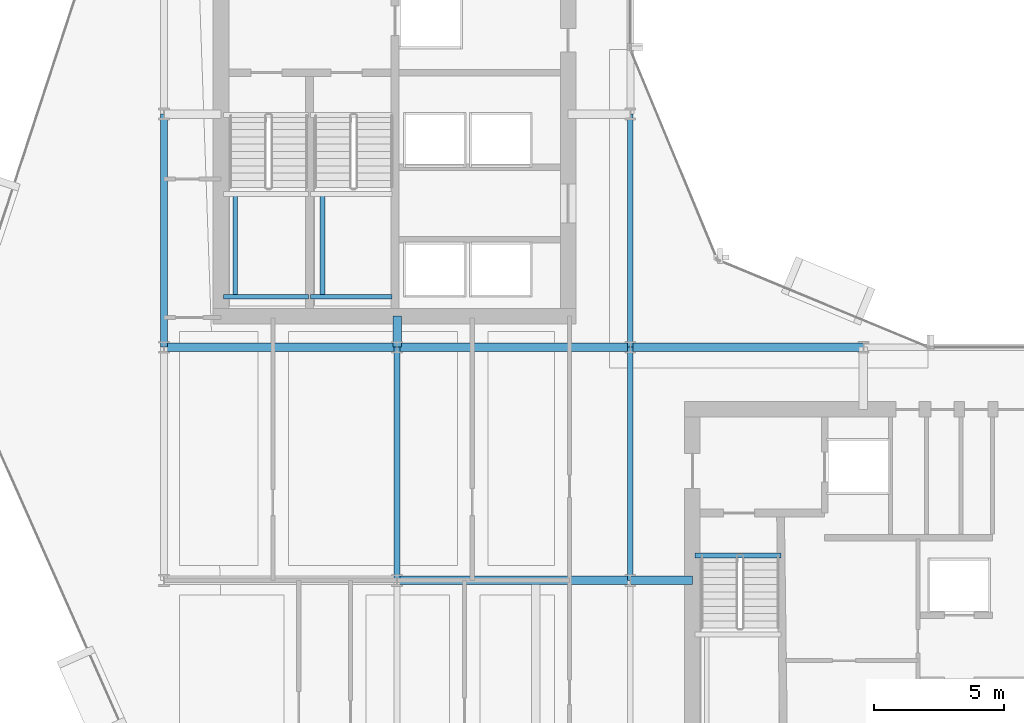
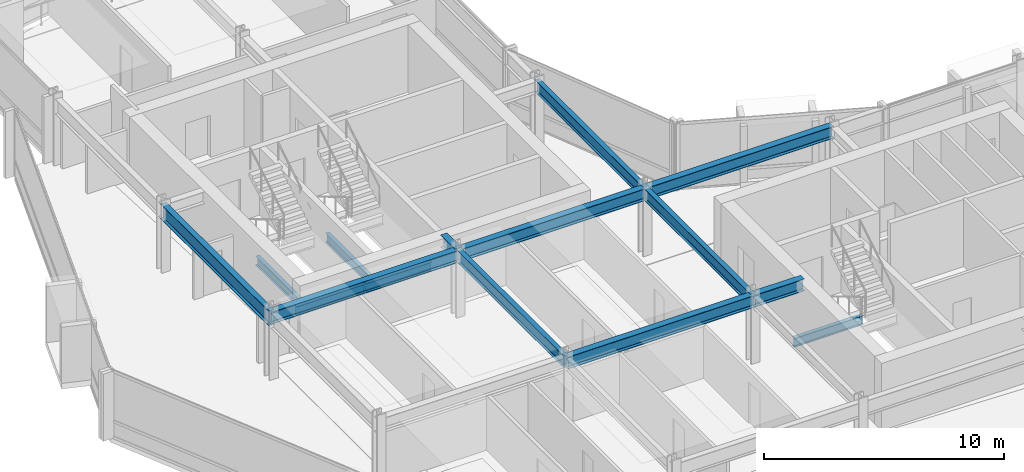
# One storey, part 7 of 29: 15 beams.
"""IFC4 building model written with IfcOpenShell, lengths in metres."""

from ifc_helpers import new_model, si_unit, direction, frame, origin, origin_2d, place, context, subcontext, project, spatial, i_section, extrude, material, material_profile, profile_set, type_object, element, save


model = new_model("IFC4")

# Units and contexts
model_context = context("Model", 3, precision=1e-05, world=origin(), true_north=direction((0.0, 1.0)))
body_context = subcontext(model_context, "Body", "Model", "MODEL_VIEW")
ifc_project = project(units=[si_unit("LENGTHUNIT", "METRE"), si_unit("AREAUNIT", "SQUARE_METRE"), si_unit("VOLUMEUNIT", "CUBIC_METRE"), si_unit("PLANEANGLEUNIT", "RADIAN"), si_unit("MASSUNIT", "GRAM", prefix="KILO")], contexts=[model_context])

# Site, building, storey
site_placement = place(None, origin())
site = spatial("IfcSite", under=ifc_project, at=site_placement, CompositionType="ELEMENT")
building_placement = place(site_placement, origin())
building = spatial("IfcBuilding", under=site, at=building_placement, Name="Solvaryn Broadcast Tower", CompositionType="ELEMENT")
storey_placement = place(building_placement, frame((0.0, 0.0, 117.39990234375)))
storey = spatial("IfcBuildingStorey", under=building, at=storey_placement, Name="L28", CompositionType="ELEMENT", Elevation=117.39990234375)

# Beams
ifc_material_1 = material(Name="Steel ASTM A992 Grade 50", Category="steel")
ifc_material_profile_1 = material_profile(ifc_material_1, i_section(OverallWidth=0.323974609375, OverallDepth=0.611083984375, WebThickness=0.0126953125, FlangeThickness=0.01904296875, FilletRadius=0.014892578125, at=origin_2d()))
ifc_profile_set_1 = profile_set([ifc_material_profile_1], Name="Steel ASTM A992 Grade 50")
beam_type_1 = type_object("IfcBeamType", Name="BM-B1-W24X104", PredefinedType="BEAM", material=ifc_profile_set_1)
for number, where, z_axis, x_axis, name in (
    (1, (18.0, 18.0, 3.114501953125), (1.0, 0.0, 0.0), (0.0, 1.0, 0.0), "L28 Primary Beam X (18-27 @ Y=18)"),
    (2, (9.0, 27.0, 3.114501953125), (1.0, 0.0, 0.0), (0.0, 1.0, 0.0), "L28 Primary Beam X (9-18 @ Y=27)"),
    (3, (18.0, 27.0, 3.114501953125), (1.0, 0.0, 0.0), (0.0, 1.0, 0.0), "L28 Primary Beam X (18-27 @ Y=27)"),
    (4, (27.0, 27.0, 3.114501953125), (1.0, 0.0, 0.0), (0.0, 1.0, 0.0), "L28 Primary Beam X (27-36 @ Y=27)"),
):
    element("IfcBeam", number, at=place(storey_placement, frame(where, z_axis=z_axis, x_axis=x_axis)), inside=storey, type_object=beam_type_1, Name=name, PredefinedType="BEAM", context=body_context, shape_type="SweptSolid", body=[
        extrude(i_section(OverallWidth=0.323974609375, OverallDepth=0.611083984375, WebThickness=0.0126953125, FlangeThickness=0.01904296875, FilletRadius=0.014892578125, at=origin_2d()), origin(), (0.0, 0.0, 1.0), 9.0),
    ])
beam_1_placement = place(storey_placement, frame((18.0, 27.0, 3.114501953125), z_axis=(0.0, 1.0, 0.0), x_axis=(-1.0, 0.0, 0.0)))
element("IfcBeam", 5, at=beam_1_placement, inside=storey, type_object=beam_type_1, Name="L28 Core Tie Beam CTW4", PredefinedType="BEAM", context=body_context, shape_type="SweptSolid", body=[
    extrude(i_section(OverallWidth=0.323974609375, OverallDepth=0.611083984375, WebThickness=0.0126953125, FlangeThickness=0.01904296875, FilletRadius=0.014892578125, at=origin_2d()), origin(), (0.0, 0.0, 1.0), 1.199951171875),
])
beam_2_placement = place(storey_placement, frame((27.0, 18.0, 3.114501953125), z_axis=(1.0, 0.0, 0.0), x_axis=(0.0, 1.0, 0.0)))
element("IfcBeam", 6, at=beam_2_placement, inside=storey, type_object=beam_type_1, Name="L28 Core Tie Beam CTE4", PredefinedType="BEAM", context=body_context, shape_type="SweptSolid", body=[
    extrude(i_section(OverallWidth=0.323974609375, OverallDepth=0.611083984375, WebThickness=0.0126953125, FlangeThickness=0.01904296875, FilletRadius=0.014892578125, at=origin_2d()), origin(), (0.0, 0.0, 1.0), 2.39990234375),
])
ifc_material_2 = material(Name="Steel ASTM A992 Grade 50", Category="steel")
ifc_material_profile_2 = material_profile(ifc_material_2, i_section(OverallWidth=0.22802734375, OverallDepth=0.60791015625, WebThickness=0.01123046875, FlangeThickness=0.017333984375, FilletRadius=0.014892578125, at=origin_2d()))
ifc_profile_set_2 = profile_set([ifc_material_profile_2], Name="Steel ASTM A992 Grade 50")
beam_type_2 = type_object("IfcBeamType", Name="BM-B2-W24X76", PredefinedType="BEAM", material=ifc_profile_set_2)
for number, where, z_axis, x_axis, name in (
    (7, (18.0, 18.0, 3.1162109375), (0.0, 1.0, 0.0), (-1.0, 0.0, 0.0), "L28 Primary Beam Y (18-27 @ X=18)"),
    (8, (27.0, 18.0, 3.1162109375), (0.0, 1.0, 0.0), (-1.0, 0.0, 0.0), "L28 Primary Beam Y (18-27 @ X=27)"),
    (9, (27.0, 27.0, 3.1162109375), (0.0, 1.0, 0.0), (-1.0, 0.0, 0.0), "L28 Primary Beam Y (27-36 @ X=27)"),
):
    element("IfcBeam", number, at=place(storey_placement, frame(where, z_axis=z_axis, x_axis=x_axis)), inside=storey, type_object=beam_type_2, Name=name, PredefinedType="BEAM", context=body_context, shape_type="SweptSolid", body=[
        extrude(i_section(OverallWidth=0.22802734375, OverallDepth=0.60791015625, WebThickness=0.01123046875, FlangeThickness=0.017333984375, FilletRadius=0.014892578125, at=origin_2d()), origin(), (0.0, 0.0, 1.0), 9.0),
    ])
ifc_material_3 = material(Name="Steel ASTM A992 Grade 50", Category="steel")
ifc_material_profile_3 = material_profile(ifc_material_3, i_section(OverallWidth=0.18994140625, OverallDepth=0.45703125, WebThickness=0.009033203125, FlangeThickness=0.014404296875, FilletRadius=0.011962890625, at=origin_2d()))
ifc_profile_set_3 = profile_set([ifc_material_profile_3], Name="Steel ASTM A992 Grade 50")
beam_type_3 = type_object("IfcBeamType", Name="BM-B4-W18X50", PredefinedType="BEAM", material=ifc_profile_set_3)
beam_3_placement = place(storey_placement, frame((11.300048828125, 28.949951171875, 1.421630859375), z_axis=(1.0, 0.0, 0.0), x_axis=(0.0, 1.0, 0.0)))
element("IfcBeam", 10, at=beam_3_placement, inside=storey, type_object=beam_type_3, Name="L28 ST1 Landing Support Beam 1A", PredefinedType="BEAM", context=body_context, shape_type="SweptSolid", body=[
    extrude(i_section(OverallWidth=0.18994140625, OverallDepth=0.45703125, WebThickness=0.009033203125, FlangeThickness=0.014404296875, FilletRadius=0.011962890625, at=origin_2d()), origin(), (0.0, 0.0, 1.0), 3.280029296875),
])
beam_4_placement = place(storey_placement, frame((11.75, 28.949951171875, 1.421630859375), z_axis=(0.0, 1.0, 0.0), x_axis=(-1.0, 0.0, 0.0)))
element("IfcBeam", 11, at=beam_4_placement, inside=storey, type_object=beam_type_3, Name="L28 ST1 Landing Cross Stringer 1C", PredefinedType="BEAM", context=body_context, shape_type="SweptSolid", body=[
    extrude(i_section(OverallWidth=0.18994140625, OverallDepth=0.45703125, WebThickness=0.009033203125, FlangeThickness=0.014404296875, FilletRadius=0.011962890625, at=origin_2d()), origin(), (0.0, 0.0, 1.0), 3.9599609375),
])
beam_5_placement = place(storey_placement, frame((14.659912109375, 28.949951171875, 1.421630859375), z_axis=(1.0, 0.0, 0.0), x_axis=(0.0, 1.0, 0.0)))
element("IfcBeam", 12, at=beam_5_placement, inside=storey, type_object=beam_type_3, Name="L28 ST2 Landing Support Beam 1A", PredefinedType="BEAM", context=body_context, shape_type="SweptSolid", body=[
    extrude(i_section(OverallWidth=0.18994140625, OverallDepth=0.45703125, WebThickness=0.009033203125, FlangeThickness=0.014404296875, FilletRadius=0.011962890625, at=origin_2d()), origin(), (0.0, 0.0, 1.0), 3.14013671875),
])
beam_6_placement = place(storey_placement, frame((15.110107421875, 28.949951171875, 1.421630859375), z_axis=(0.0, 1.0, 0.0), x_axis=(-1.0, 0.0, 0.0)))
element("IfcBeam", 13, at=beam_6_placement, inside=storey, type_object=beam_type_3, Name="L28 ST2 Landing Cross Stringer 1C", PredefinedType="BEAM", context=body_context, shape_type="SweptSolid", body=[
    extrude(i_section(OverallWidth=0.18994140625, OverallDepth=0.45703125, WebThickness=0.009033203125, FlangeThickness=0.014404296875, FilletRadius=0.011962890625, at=origin_2d()), origin(), (0.0, 0.0, 1.0), 3.9599609375),
])
beam_7_placement = place(storey_placement, frame((29.5, 18.9599609375, -0.50830078125), z_axis=(1.0, 0.0, 0.0), x_axis=(0.0, 1.0, 0.0)))
element("IfcBeam", 14, at=beam_7_placement, inside=storey, type_object=beam_type_3, Name="L28 ST3 Stair Well Trimmer Beam", PredefinedType="BEAM", context=body_context, shape_type="SweptSolid", body=[
    extrude(i_section(OverallWidth=0.18994140625, OverallDepth=0.45703125, WebThickness=0.009033203125, FlangeThickness=0.014404296875, FilletRadius=0.011962890625, at=origin_2d()), origin(), (0.0, 0.0, 1.0), 3.320068359375),
])
ifc_material_4 = material(Name="Steel ASTM A992 Grade 50", Category="steel")
ifc_material_profile_4 = material_profile(ifc_material_4, i_section(OverallWidth=0.26708984375, OverallDepth=0.76611328125, WebThickness=0.014892578125, FlangeThickness=0.023681640625, FilletRadius=0.01806640625, at=origin_2d()))
ifc_profile_set_4 = profile_set([ifc_material_profile_4], Name="Steel ASTM A992 Grade 50")
beam_type_4 = type_object("IfcBeamType", Name="BM-SP2-W30X124", PredefinedType="USERDEFINED", material=ifc_profile_set_4)
beam_8_placement = place(storey_placement, frame((9.0, 27.0, 3.037109375), z_axis=(0.0, 1.0, 0.0), x_axis=(-1.0, 0.0, 0.0)))
element("IfcBeam", 15, at=beam_8_placement, inside=storey, type_object=beam_type_4, Name="L28 Spandrel Beam Y (27-36 @ X=9)", ObjectType="SPANDREL", PredefinedType="USERDEFINED", context=body_context, shape_type="SweptSolid", body=[
    extrude(i_section(OverallWidth=0.26708984375, OverallDepth=0.76611328125, WebThickness=0.014892578125, FlangeThickness=0.023681640625, FilletRadius=0.01806640625, at=origin_2d()), origin(), (0.0, 0.0, 1.0), 9.0),
])

save(model, "model.ifc")
